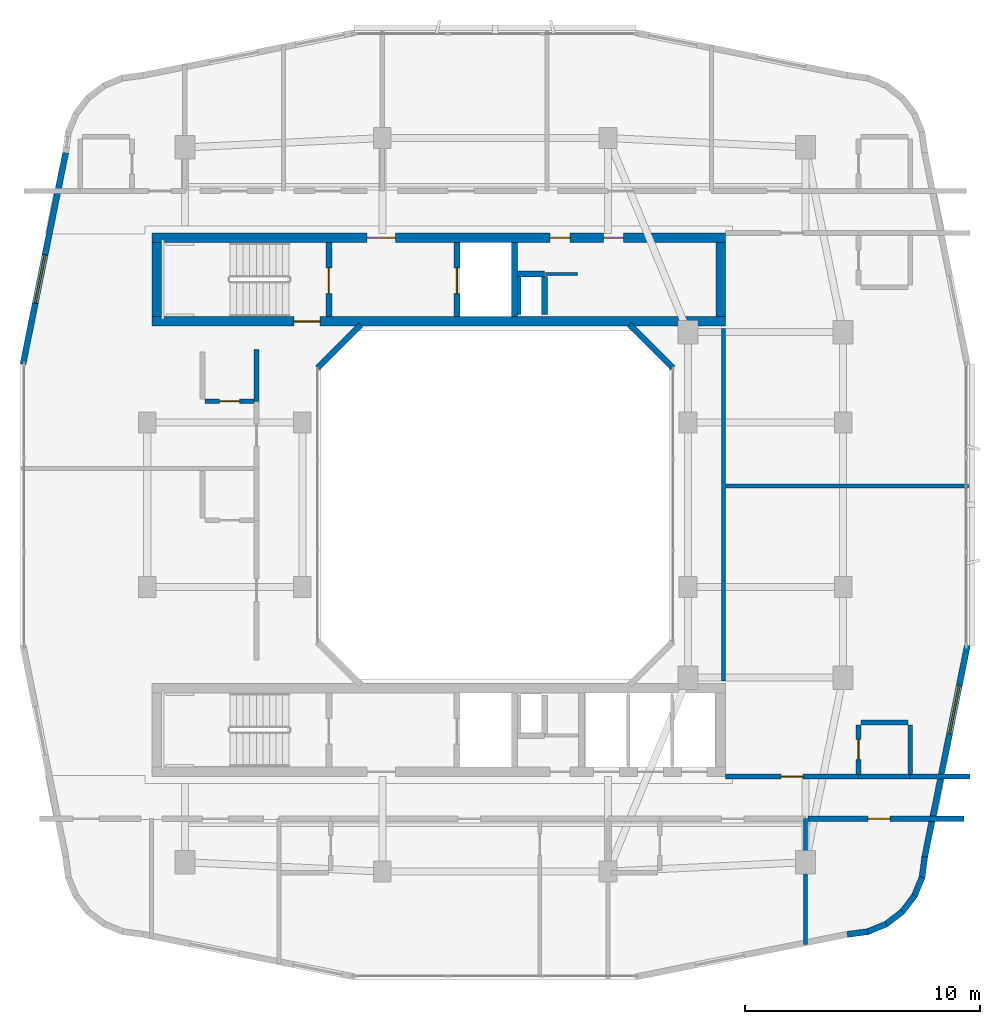
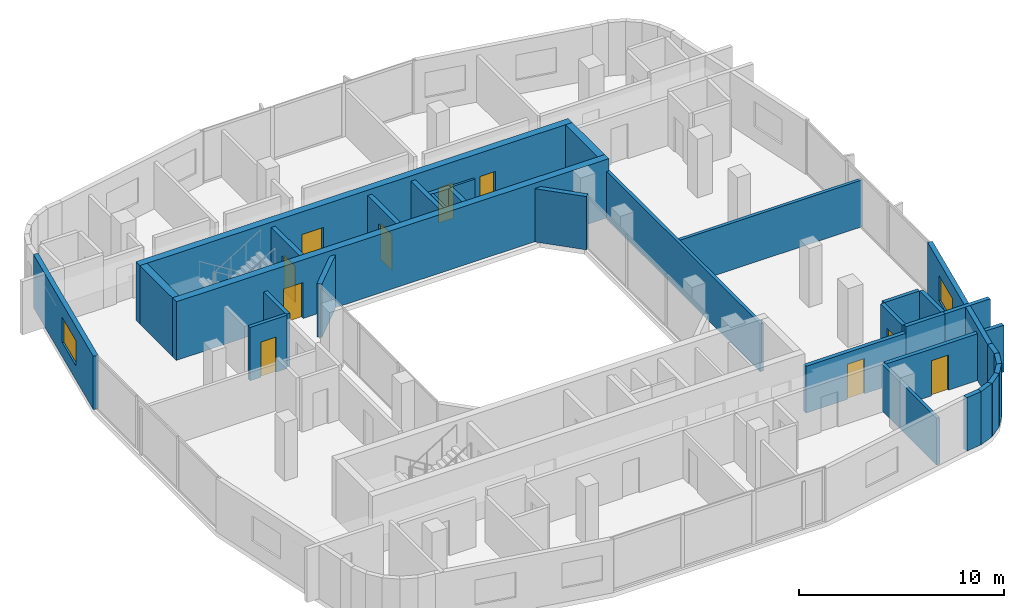
# One storey, part 8 of 14: 33 walls, 10 doors, 2 windows, 12 openings.
"""IFC4 building model written with IfcOpenShell, lengths in metres."""

import ifcopenshell
import ifcopenshell.guid

model = None  # the IFC model being written
_history = None  # IfcOwnerHistory: only IFC2X3 demands one
_inside = {}  # id of a spatial element -> (the spatial element, [elements in it])
_under = {}  # id of a project, library or spatial element -> (it, [spatial elements below it])
_declared = {}  # id of a project -> (the project, [libraries it declares])
_typed = {}  # id of a type object -> (the type object, [elements of that type])
_made_of = {}  # id of a material, layer set ... -> (it, [elements and type objects made of it])


def new_model(schema):
    """Start an empty IFC model of exactly this schema.

    Asked for "IFC4X3", IfcOpenShell would pick the latest addendum, in which some entities
    have other attributes; the version numbers below select the first issue.
    IFC2X3 requires an IfcOwnerHistory on every rooted entity: one is made here for all.
    """
    global model, _history
    if schema == "IFC4X3":
        model = ifcopenshell.file(schema_version=(4, 3, 0, 0))
    else:
        model = ifcopenshell.file(schema=schema)
    _inside.clear()
    _under.clear()
    _declared.clear()
    _typed.clear()
    _made_of.clear()
    _history = None
    if model.schema == "IFC2X3":
        org = make("IfcOrganization", Name="unknown")
        user = make(
            "IfcPersonAndOrganization",
            ThePerson=make("IfcPerson", FamilyName="unknown"),
            TheOrganization=org,
        )
        app = make(
            "IfcApplication",
            ApplicationDeveloper=org,
            Version="unknown",
            ApplicationFullName="unknown",
            ApplicationIdentifier="unknown",
        )
        _history = make(
            "IfcOwnerHistory",
            OwningUser=user,
            OwningApplication=app,
            ChangeAction="ADDED",
            CreationDate=0,
        )
    return model


def make(cls, **values):
    """One entity of the class cls with the attributes given. An attribute that is None is left unset."""
    return model.create_entity(
        cls, **{name: value for name, value in values.items() if value is not None}
    )


def rooted(cls, **values):
    """An entity with a GlobalId (a new one), such as an element, a storey or a relation."""
    return make(cls, GlobalId=ifcopenshell.guid.new(), OwnerHistory=_history, **values)


def si_unit(unit_type, name, prefix=None):
    """IfcSIUnit, for example si_unit("LENGTHUNIT", "METRE", prefix="MILLI")."""
    return make("IfcSIUnit", UnitType=unit_type, Prefix=prefix, Name=name)


def derived_unit(unit_type, elements):
    """IfcDerivedUnit: a product of units, each with its exponent."""
    return make(
        "IfcDerivedUnit",
        Elements=[
            make("IfcDerivedUnitElement", Unit=unit, Exponent=power)
            for unit, power in elements
        ],
        UnitType=unit_type,
    )


def assignment(units):
    """IfcUnitAssignment: the units of a project."""
    return None if units is None else make("IfcUnitAssignment", Units=units)


def point(xyz):
    """IfcCartesianPoint."""
    return None if xyz is None else make("IfcCartesianPoint", Coordinates=xyz)


def direction(xyz):
    """IfcDirection."""
    return None if xyz is None else make("IfcDirection", DirectionRatios=xyz)


def frame(location, z_axis=None, x_axis=None):
    """IfcAxis2Placement3D, a coordinate frame: its origin and axes. An axis left out is left unset."""
    return make(
        "IfcAxis2Placement3D",
        Location=point(location),
        Axis=direction(z_axis),
        RefDirection=direction(x_axis),
    )


def frame_2d(location, x_axis=None):
    """IfcAxis2Placement2D, a coordinate frame in the plane: its origin and x axis."""
    return make(
        "IfcAxis2Placement2D", Location=point(location), RefDirection=direction(x_axis)
    )


def origin():
    """The frame at (0, 0, 0) with its axes left unset."""
    return frame((0.0, 0.0, 0.0))


def place(relative_to, where):
    """IfcLocalPlacement: puts the frame where relative to a parent placement (None: the world)."""
    return make(
        "IfcLocalPlacement", PlacementRelTo=relative_to, RelativePlacement=where
    )


def context(
    kind, dimensions, precision=None, world=None, true_north=None, identifier=None
):
    """IfcGeometricRepresentationContext, for example the 3D "Model" context."""
    return make(
        "IfcGeometricRepresentationContext",
        ContextIdentifier=identifier,
        ContextType=kind,
        CoordinateSpaceDimension=dimensions,
        Precision=precision,
        WorldCoordinateSystem=world,
        TrueNorth=true_north,
    )


def subcontext(parent, identifier, kind, view, scale=None):
    """IfcGeometricRepresentationSubContext, for example "Body" below "Model"."""
    return make(
        "IfcGeometricRepresentationSubContext",
        ContextIdentifier=identifier,
        ContextType=kind,
        ParentContext=parent,
        TargetScale=scale,
        TargetView=view,
    )


def project(units=None, contexts=None):
    """IfcProject with its units and contexts."""
    return rooted(
        "IfcProject",
        Name="project",
        RepresentationContexts=contexts,
        UnitsInContext=assignment(units),
    )


def spatial(cls, under=None, at=None, **own):
    """A site, building, storey or space (cls), placed at a placement, below another one or the project."""
    s = rooted(cls, ObjectPlacement=at, **own)
    if under is not None:
        _under.setdefault(under.id(), (under, []))[1].append(s)
    return s


def profile(cls, at=None, kind="AREA", **sizes):
    """A parametric profile (cls). Its sizes go by their IFC names, for example OverallWidth=200.0."""
    return make(cls, ProfileType=kind, Position=at, **sizes)


def rectangle(**sizes):
    """IfcRectangleProfileDef."""
    return profile("IfcRectangleProfileDef", **sizes)


def extrude(swept, where, along, depth):
    """IfcExtrudedAreaSolid: the profile swept, set in the frame where, extruded along a direction by depth."""
    return make(
        "IfcExtrudedAreaSolid",
        SweptArea=swept,
        Position=where,
        ExtrudedDirection=direction(along),
        Depth=depth,
    )


def shape(context_of_items, identifier, shape_type, items):
    """IfcShapeRepresentation: the items that make up one representation, for example the "Body"."""
    return make(
        "IfcShapeRepresentation",
        ContextOfItems=context_of_items,
        RepresentationIdentifier=identifier,
        RepresentationType=shape_type,
        Items=items,
    )


def material(Name=None, Category=None):
    """IfcMaterial."""
    return make("IfcMaterial", Name=Name, Category=Category)


def layer(
    of_material, thickness, ventilated=None, Name=None, Category=None, Priority=None
):
    """IfcMaterialLayer: one layer of a wall or slab, of a material (None: an air gap)."""
    return make(
        "IfcMaterialLayer",
        Material=of_material,
        LayerThickness=thickness,
        IsVentilated=ventilated,
        Name=Name,
        Category=Category,
        Priority=Priority,
    )


def layer_set(layers, Name=None):
    """IfcMaterialLayerSet."""
    return make("IfcMaterialLayerSet", MaterialLayers=layers, LayerSetName=Name)


def made_of(thing, what):
    """Note that an element or type object is made of a material, layer set ...; save() writes the relation."""
    if what is not None:
        _made_of.setdefault(what.id(), (what, []))[1].append(thing)
    return thing


def type_object(cls, material=None, **own):
    """A type object (cls), such as IfcWallType, which elements share."""
    return made_of(rooted(cls, **own), material)


def element(
    cls,
    number,
    at=None,
    inside=None,
    cuts=None,
    type_object=None,
    material=None,
    context=None,
    identifier="Body",
    shape_type=None,
    held_by="IfcProductDefinitionShape",
    body=None,
    shapes=None,
    **own,
):
    """One element of the class cls, such as IfcWall. Its Tag is "e" and its number.

    at: its placement. inside: the storey or other place that contains it. cuts: it is an
    opening in that element (IfcRelVoidsElement). A single representation is given by context,
    identifier, shape_type and body (its items); several are given by shapes. held_by: the class
    of the entity that holds the representations. save() writes the other relations.
    """
    e = rooted(cls, Tag="e%d" % number, ObjectPlacement=at, **own)
    if body is not None:
        shapes = [shape(context, identifier, shape_type, body)]
    if shapes is not None:
        e.Representation = make(held_by, Representations=shapes)
    if inside is not None:
        _inside.setdefault(inside.id(), (inside, []))[1].append(e)
    if cuts is not None:
        rooted(
            "IfcRelVoidsElement", RelatingBuildingElement=cuts, RelatedOpeningElement=e
        )
    if type_object is not None:
        _typed.setdefault(type_object.id(), (type_object, []))[1].append(e)
    return made_of(e, material)


def fill(opening, filler):
    """IfcRelFillsElement: the door or window that sits in an opening."""
    return rooted(
        "IfcRelFillsElement",
        RelatingOpeningElement=opening,
        RelatedBuildingElement=filler,
    )


def aggregate(whole, parts):
    """IfcRelAggregates: a whole, such as a stair, and the parts it consists of."""
    return rooted("IfcRelAggregates", RelatingObject=whole, RelatedObjects=parts)


def save(model, path):
    """Write the relations noted so far, then the file.

    IfcRelAggregates (storeys below a building ...), IfcRelContainedInSpatialStructure (elements
    in a storey), IfcRelDefinesByType, IfcRelAssociatesMaterial and IfcRelDeclares: one each for
    every whole, place, type object, material and project.
    """
    for whole, parts in _under.values():
        aggregate(whole, parts)
    for where, things in _inside.values():
        rooted(
            "IfcRelContainedInSpatialStructure",
            RelatedElements=things,
            RelatingStructure=where,
        )
    for kind, things in _typed.values():
        rooted("IfcRelDefinesByType", RelatedObjects=things, RelatingType=kind)
    for what, things in _made_of.values():
        rooted("IfcRelAssociatesMaterial", RelatedObjects=things, RelatingMaterial=what)
    for by, libraries in _declared.values():
        rooted("IfcRelDeclares", RelatingContext=by, RelatedDefinitions=libraries)
    model.write(path)


model = new_model("IFC4")

# Units and contexts
model_context = context("Model", 3, precision=1e-05, world=origin(), true_north=direction((0.0, 1.0)))
body_context = subcontext(model_context, "Body", "Model", "MODEL_VIEW")
ifc_project = project(units=[si_unit("LENGTHUNIT", "METRE"), si_unit("AREAUNIT", "SQUARE_METRE"), si_unit("VOLUMEUNIT", "CUBIC_METRE"), si_unit("PLANEANGLEUNIT", "RADIAN"), si_unit("MASSUNIT", "GRAM", prefix="KILO"), derived_unit("THERMALTRANSMITTANCEUNIT", [(si_unit("POWERUNIT", "WATT"), 1), (si_unit("LENGTHUNIT", "METRE"), -2), (si_unit("THERMODYNAMICTEMPERATUREUNIT", "KELVIN"), -1)])], contexts=[model_context])

# Site, building, storey
site_placement = place(None, origin())
site = spatial("IfcSite", under=ifc_project, at=site_placement, CompositionType="ELEMENT")
building_placement = place(site_placement, origin())
building = spatial("IfcBuilding", under=site, at=building_placement, Name="Kivonza Crest Hotel", CompositionType="ELEMENT")
storey_placement = place(building_placement, frame((0.0, 0.0, 169.5)))
storey = spatial("IfcBuildingStorey", under=building, at=storey_placement, Name="L46", CompositionType="ELEMENT", Elevation=169.5)

# Walls
ifc_material_1 = material(Name="High-density acoustic masonry inter-tenancy wall", Category="masonry")
ifc_layer_1 = layer(ifc_material_1, 0.179931640625)
ifc_layer_set_1 = layer_set([ifc_layer_1], Name="High-density acoustic masonry inter-tenancy wall")
wall_type_1 = type_object("IfcWallType", Name="WL-ACOU-180", PredefinedType="SOLIDWALL", material=ifc_layer_set_1)
wall_1_placement = place(storey_placement, frame((34.199951171875, 6.299072265625, 0.0), z_axis=(0.0, 0.0, 1.0), x_axis=(0.0, 1.0, 0.0)))
element("IfcWall", 1, at=wall_1_placement, inside=storey, type_object=wall_type_1, Name="L46 interior partition WA-L46-T1S-DIV3", PredefinedType="SOLIDWALL", context=body_context, shape_type="SweptSolid", body=[
    extrude(rectangle(XDim=5.350830078125, YDim=0.179931640625, at=frame_2d((2.67529296875, 0.0))), origin(), (0.0, 0.0, 1.0), 2.794921875),
])
wall_2_placement = place(storey_placement, frame((30.800048828125, 25.800048828125, 0.0), z_axis=(0.0, 0.0, 1.0), x_axis=(1.0, 0.0, 0.0)))
element("IfcWall", 2, at=wall_2_placement, inside=storey, type_object=wall_type_1, Name="L46 interior partition WA-L46-T1EC-DIV", PredefinedType="SOLIDWALL", context=body_context, shape_type="SweptSolid", body=[
    extrude(rectangle(XDim=10.33984375, YDim=0.179931640625, at=frame_2d((5.169921875, 0.0))), origin(), (0.0, 0.0, 1.0), 2.794921875),
])
wall_3_placement = place(storey_placement, frame((30.7099609375, 17.5, 0.0), z_axis=(0.0, 0.0, 1.0), x_axis=(0.0, 1.0, 0.0)))
element("IfcWall", 3, at=wall_3_placement, inside=storey, type_object=wall_type_1, Name="L46 interior partition WA-L46-T1EC-W", PredefinedType="SOLIDWALL", context=body_context, shape_type="SweptSolid", body=[
    extrude(rectangle(XDim=15.0, YDim=0.179931640625, at=frame_2d((7.5, 0.0))), origin(), (0.0, 0.0, 1.0), 2.85498046875),
])

# Wall, opening, door
ifc_material_2 = material(Name="Autoclaved aerated concrete blockwork", Category="masonry")
ifc_layer_2 = layer(ifc_material_2, 0.219970703125)
ifc_layer_set_2 = layer_set([ifc_layer_2], Name="Autoclaved aerated concrete blockwork")
wall_type_2 = type_object("IfcWallType", Name="WL-ACOU-220", PredefinedType="SOLIDWALL", material=ifc_layer_set_2)
wall_4_placement = place(storey_placement, frame((34.300048828125, 11.64990234375, 0.0), z_axis=(0.0, 0.0, 1.0), x_axis=(1.0, 0.0, 0.0)))
wall_4 = element("IfcWall", 4, at=wall_4_placement, inside=storey, type_object=wall_type_2, Name="L46 interior partition WA-L46-BUS-MTG-N", PredefinedType="SOLIDWALL", context=body_context, shape_type="SweptSolid", body=[
    extrude(rectangle(XDim=6.639892578125, YDim=0.219970703125, at=frame_2d((3.31982421875, 0.0))), origin(), (0.0, 0.0, 1.0), 2.794921875),
])
opening_1_placement = place(wall_4_placement, frame((2.550048828125, 0.0, 0.0)))
opening_1 = element("IfcOpeningElement", 5, at=opening_1_placement, cuts=wall_4, Name="Opening DF-60S", PredefinedType="OPENING", context=body_context, shape_type="SweptSolid", body=[
    extrude(rectangle(XDim=0.949951171875, YDim=2.10009765625, at=frame_2d((0.47509765625, 1.050048828125))), frame((0.0, 0.1201171875, 0.0), z_axis=(0.0, -1.0, 0.0), x_axis=(1.0, 0.0, 0.0)), (0.0, 0.0, 1.0), 0.239990234375),
])
ifc_material_3 = material(Name="Hardwood timber oak", Category="wood")
door_type_1 = type_object("IfcDoorType", Name="DR-FD60-950", OperationType="NOTDEFINED", PredefinedType="DOOR", material=ifc_material_3)
door_1_placement = place(opening_1_placement, frame((0.949951171875, 0.0, 0.0), z_axis=(0.0, 0.0, 1.0), x_axis=(-1.0, 0.0, 0.0)))
door_1 = element("IfcDoor", 6, at=door_1_placement, inside=storey, type_object=door_type_1, Name="L46 Floor Conference Boardroom door", OperationType="SINGLE_SWING_RIGHT", OverallHeight=2.10009765625, OverallWidth=0.949951171875, PredefinedType="DOOR", context=body_context, shape_type="SweptSolid", body=[
    extrude(rectangle(XDim=0.949951171875, YDim=2.10009765625, at=frame_2d((0.47509765625, 1.050048828125))), frame((0.0, 0.02490234375, 0.0), z_axis=(0.0, -1.0, 0.0), x_axis=(1.0, 0.0, 0.0)), (0.0, 0.0, 1.0), 0.050048828125),
])
fill(opening_1, door_1)

# Walls
wall_5_placement = place(storey_placement, frame((10.85009765625, 29.39990234375, 0.0), z_axis=(0.0, 0.0, 1.0), x_axis=(0.0, 1.0, 0.0)))
element("IfcWall", 7, at=wall_5_placement, inside=storey, type_object=wall_type_2, Name="L46 interior partition WA-L46-W06-BCORR", PredefinedType="SOLIDWALL", context=body_context, shape_type="SweptSolid", body=[
    extrude(rectangle(XDim=2.2001953125, YDim=0.219970703125, at=frame_2d((1.10009765625, 0.0))), origin(), (0.0, 0.0, 1.0), 3.179931640625),
])
wall_6_placement = place(storey_placement, frame((38.64990234375, 13.43994140625, 0.0), z_axis=(0.0, 0.0, 1.0), x_axis=(1.0, 0.0, 0.0)))
element("IfcWall", 8, at=wall_6_placement, inside=storey, type_object=wall_type_2, Name="L46 interior partition WA-L46-ES07-XCORR", PredefinedType="SOLIDWALL", context=body_context, shape_type="SweptSolid", body=[
    extrude(rectangle(XDim=2.550048828125, YDim=0.219970703125, at=frame_2d((1.27490234375, 0.0))), origin(), (0.0, 0.0, 1.0), 3.179931640625),
])
wall_7_placement = place(storey_placement, frame((36.449951171875, 13.43994140625, 0.0), z_axis=(0.0, 0.0, 1.0), x_axis=(1.0, 0.0, 0.0)))
element("IfcWall", 9, at=wall_7_placement, inside=storey, type_object=wall_type_2, Name="L46 interior partition WA-L46-ES07-BCORR", PredefinedType="SOLIDWALL", context=body_context, shape_type="SweptSolid", body=[
    extrude(rectangle(XDim=2.199951171875, YDim=0.219970703125, at=frame_2d((1.10009765625, 0.0))), origin(), (0.0, 0.0, 1.0), 3.179931640625),
])

# Wall, opening, door
wall_8_placement = place(storey_placement, frame((30.800048828125, 13.43994140625, 0.0), z_axis=(0.0, 0.0, 1.0), x_axis=(1.0, 0.0, 0.0)))
wall_8 = element("IfcWall", 10, at=wall_8_placement, inside=storey, type_object=wall_type_2, Name="L46 interior partition WA-L46-ES07-MCORR", PredefinedType="SOLIDWALL", context=body_context, shape_type="SweptSolid", body=[
    extrude(rectangle(XDim=5.64990234375, YDim=0.219970703125, at=frame_2d((2.824951171875, 0.0))), origin(), (0.0, 0.0, 1.0), 2.794921875),
])
opening_2_placement = place(wall_8_placement, frame((2.35009765625, 0.0, 0.0)))
opening_2 = element("IfcOpeningElement", 11, at=opening_2_placement, cuts=wall_8, Name="Opening DU-60", PredefinedType="OPENING", context=body_context, shape_type="SweptSolid", body=[
    extrude(rectangle(XDim=0.949951171875, YDim=2.10009765625, at=frame_2d((0.47509765625, 1.050048828125))), frame((0.0, 0.1201171875, 0.0), z_axis=(0.0, -1.0, 0.0), x_axis=(1.0, 0.0, 0.0)), (0.0, 0.0, 1.0), 0.239990234375),
])
door_type_2 = type_object("IfcDoorType", Name="DR-UNIT-950", OperationType="NOTDEFINED", PredefinedType="DOOR", material=ifc_material_3)
door_2_placement = place(opening_2_placement, origin())
door_2 = element("IfcDoor", 12, at=door_2_placement, inside=storey, type_object=door_type_2, Name="L46 ES07 guest unit entrance fire door", OperationType="SINGLE_SWING_RIGHT", OverallHeight=2.10009765625, OverallWidth=0.949951171875, PredefinedType="DOOR", context=body_context, shape_type="SweptSolid", body=[
    extrude(rectangle(XDim=0.949951171875, YDim=2.10009765625, at=frame_2d((0.47509765625, 1.050048828125))), frame((0.0, 0.02490234375, 0.0), z_axis=(0.0, -1.0, 0.0), x_axis=(1.0, 0.0, 0.0)), (0.0, 0.0, 1.0), 0.050048828125),
])
fill(opening_2, door_2)

ifc_material_4 = material(Name="Concrete C50/60", Category="concrete")
ifc_layer_3 = layer(ifc_material_4, 0.39990234375)
ifc_layer_set_3 = layer_set([ifc_layer_3], Name="Concrete C50/60")
wall_type_3 = type_object("IfcWallType", Name="WL-CORE-400", PredefinedType="SHEAR", material=ifc_layer_set_3)
wall_9_placement = place(storey_placement, frame((6.39990234375, 32.800048828125, 0.0), z_axis=(0.0, 0.0, 1.0), x_axis=(1.0, 0.0, 0.0)))
wall_9 = element("IfcWall", 13, at=wall_9_placement, inside=storey, type_object=wall_type_3, Name="Core wall T1-N South L46", PredefinedType="SHEAR", context=body_context, shape_type="SweptSolid", body=[
    extrude(rectangle(XDim=24.400146484375, YDim=0.39990234375, at=frame_2d((12.2001953125, 0.0))), origin(), (0.0, 0.0, 1.0), 3.5),
])
opening_3_placement = place(wall_9_placement, frame((6.050048828125, 0.0, 0.0)))
opening_3 = element("IfcOpeningElement", 14, at=opening_3_placement, cuts=wall_9, Name="Opening DF-120", PredefinedType="OPENING", context=body_context, shape_type="SweptSolid", body=[
    extrude(rectangle(XDim=1.10009765625, YDim=2.14990234375, at=frame_2d((0.550048828125, 1.074951171875))), frame((0.0, 0.2099609375, 0.0), z_axis=(0.0, -1.0, 0.0), x_axis=(1.0, 0.0, 0.0)), (0.0, 0.0, 1.0), 0.419921875),
])
ifc_material_5 = material(Name="Galvanised steel", Category="steel")
door_type_3 = type_object("IfcDoorType", Name="DR-FD120-1100", OperationType="NOTDEFINED", PredefinedType="DOOR", material=ifc_material_5)
door_3_placement = place(opening_3_placement, origin())
door_3 = element("IfcDoor", 15, at=door_3_placement, inside=storey, type_object=door_type_3, Name="L46 West corridor stair access fire door", OperationType="SINGLE_SWING_LEFT", OverallHeight=2.14990234375, OverallWidth=1.10009765625, PredefinedType="DOOR", context=body_context, shape_type="SweptSolid", body=[
    extrude(rectangle(XDim=1.10009765625, YDim=2.14990234375, at=frame_2d((0.550048828125, 1.074951171875))), frame((0.0, 0.02490234375, 0.0), z_axis=(0.0, -1.0, 0.0), x_axis=(1.0, 0.0, 0.0)), (0.0, 0.0, 1.0), 0.050048828125),
])
fill(opening_3, door_3)

# Wall, openings, doors
wall_10_placement = place(storey_placement, frame((6.39990234375, 36.360107421875, 0.0), z_axis=(0.0, 0.0, 1.0), x_axis=(1.0, 0.0, 0.0)))
wall_10 = element("IfcWall", 16, at=wall_10_placement, inside=storey, type_object=wall_type_3, Name="Core wall T1-N North L46", PredefinedType="SHEAR", context=body_context, shape_type="SweptSolid", body=[
    extrude(rectangle(XDim=24.400146484375, YDim=0.39990234375, at=frame_2d((12.2001953125, 0.0))), origin(), (0.0, 0.0, 1.0), 3.5),
])
opening_4_placement = place(wall_10_placement, frame((9.14990234375, 0.0, 0.0)))
opening_4 = element("IfcOpeningElement", 17, at=opening_4_placement, cuts=wall_10, Name="Opening DF-60", PredefinedType="OPENING", context=body_context, shape_type="SweptSolid", body=[
    extrude(rectangle(XDim=1.199951171875, YDim=2.14990234375, at=frame_2d((0.60009765625, 1.074951171875))), frame((0.0, 0.2099609375, 0.0), z_axis=(0.0, -1.0, 0.0), x_axis=(1.0, 0.0, 0.0)), (0.0, 0.0, 1.0), 0.419921875),
])
opening_5_placement = place(wall_10_placement, frame((19.199951171875, 0.0, 0.0)))
opening_5 = element("IfcOpeningElement", 18, at=opening_5_placement, cuts=wall_10, Name="Opening DF-60R", PredefinedType="OPENING", context=body_context, shape_type="SweptSolid", body=[
    extrude(rectangle(XDim=0.85009765625, YDim=2.10009765625, at=frame_2d((0.425048828125, 1.050048828125))), frame((0.0, 0.2099609375, 0.0), z_axis=(0.0, -1.0, 0.0), x_axis=(1.0, 0.0, 0.0)), (0.0, 0.0, 1.0), 0.419921875),
])
opening_6_placement = place(wall_10_placement, frame((16.93994140625, 0.0, 0.0)))
opening_6 = element("IfcOpeningElement", 19, at=opening_6_placement, cuts=wall_10, Name="Opening DF-60R", PredefinedType="OPENING", context=body_context, shape_type="SweptSolid", body=[
    extrude(rectangle(XDim=0.85009765625, YDim=2.10009765625, at=frame_2d((0.425048828125, 1.050048828125))), frame((0.0, 0.2099609375, 0.0), z_axis=(0.0, -1.0, 0.0), x_axis=(1.0, 0.0, 0.0)), (0.0, 0.0, 1.0), 0.419921875),
])
door_type_4 = type_object("IfcDoorType", Name="DR-FD60-1200", OperationType="NOTDEFINED", PredefinedType="DOOR", material=ifc_material_3)
door_4_placement = place(opening_4_placement, origin())
door_4 = element("IfcDoor", 20, at=door_4_placement, inside=storey, type_object=door_type_4, Name="L46 T1-N firefighting lobby fire door", OperationType="SINGLE_SWING_RIGHT", OverallHeight=2.14990234375, OverallWidth=1.199951171875, PredefinedType="DOOR", context=body_context, shape_type="SweptSolid", body=[
    extrude(rectangle(XDim=1.199951171875, YDim=2.14990234375, at=frame_2d((0.60009765625, 1.074951171875))), frame((0.0, 0.02490234375, 0.0), z_axis=(0.0, -1.0, 0.0), x_axis=(1.0, 0.0, 0.0)), (0.0, 0.0, 1.0), 0.050048828125),
])
fill(opening_4, door_4)
door_type_5 = type_object("IfcDoorType", Name="DR-FD60-850", OperationType="NOTDEFINED", PredefinedType="DOOR", material=ifc_material_3)
door_5_placement = place(opening_5_placement, origin())
door_5 = element("IfcDoor", 21, at=door_5_placement, inside=storey, type_object=door_type_5, Name="L46 T1-N reclaimed core service door", OperationType="SINGLE_SWING_LEFT", OverallHeight=2.10009765625, OverallWidth=0.85009765625, PredefinedType="DOOR", context=body_context, shape_type="SweptSolid", body=[
    extrude(rectangle(XDim=0.85009765625, YDim=2.10009765625, at=frame_2d((0.425048828125, 1.050048828125))), frame((0.0, 0.02490234375, 0.0), z_axis=(0.0, -1.0, 0.0), x_axis=(1.0, 0.0, 0.0)), (0.0, 0.0, 1.0), 0.050048828125),
])
fill(opening_5, door_5)
door_6_placement = place(opening_6_placement, origin())
door_6 = element("IfcDoor", 22, at=door_6_placement, inside=storey, type_object=door_type_5, Name="L46 T1-N core room door", OperationType="SINGLE_SWING_RIGHT", OverallHeight=2.10009765625, OverallWidth=0.85009765625, PredefinedType="DOOR", context=body_context, shape_type="SweptSolid", body=[
    extrude(rectangle(XDim=0.85009765625, YDim=2.10009765625, at=frame_2d((0.425048828125, 1.050048828125))), frame((0.0, 0.02490234375, 0.0), z_axis=(0.0, -1.0, 0.0), x_axis=(1.0, 0.0, 0.0)), (0.0, 0.0, 1.0), 0.050048828125),
])
fill(opening_6, door_6)

# Walls
for number, where, z_axis, x_axis, name in (
    (23, (6.60009765625, 33.0, 0.0), (0.0, 0.0, 1.0), (0.0, 1.0, 0.0), "Core wall T1-N West L46"),
    (24, (30.60009765625, 33.0, 0.0), (0.0, 0.0, 1.0), (0.0, 1.0, 0.0), "Core wall T1-N East L46"),
):
    element("IfcWall", number, at=place(storey_placement, frame(where, z_axis=z_axis, x_axis=x_axis)), inside=storey, type_object=wall_type_3, Name=name, PredefinedType="SHEAR", context=body_context, shape_type="SweptSolid", body=[
        extrude(rectangle(XDim=3.159912109375, YDim=0.39990234375, at=frame_2d((1.580078125, 0.0))), origin(), (0.0, 0.0, 1.0), 3.5),
    ])
ifc_material_6 = material(Name="Precast concrete C40/50", Category="concrete")
ifc_layer_4 = layer(ifc_material_6, 0.260009765625)
ifc_layer_set_4 = layer_set([ifc_layer_4], Name="Precast concrete C40/50")
wall_type_4 = type_object("IfcWallType", Name="WL-EXT-260", PredefinedType="STANDARD", material=ifc_layer_set_4)
wall_11_placement = place(storey_placement, frame((35.97509765625, 6.72802734375, 0.0), z_axis=(0.0, 0.0, 1.0), x_axis=(0.991388484223, 0.130953706898, 0.0)))
element("IfcWall", 25, at=wall_11_placement, inside=storey, type_object=wall_type_4, Name="L46 T1 exterior insulated wall 10", PredefinedType="STANDARD", context=body_context, shape_type="SweptSolid", body=[
    extrude(rectangle(XDim=0.885498046875, YDim=0.260009765625, at=frame_2d((0.44287109375, 0.0))), origin(), (0.0, 0.0, 1.0), 3.179931640625),
])
wall_12_placement = place(storey_placement, frame((36.806884765625, 6.825927734375, 0.0), z_axis=(0.0, 0.0, 1.0), x_axis=(0.923627776508, 0.383290660547, 0.0)))
element("IfcWall", 26, at=wall_12_placement, inside=storey, type_object=wall_type_4, Name="L46 T1 exterior insulated wall 11", PredefinedType="STANDARD", context=body_context, shape_type="SweptSolid", body=[
    extrude(rectangle(XDim=0.9033203125, YDim=0.260009765625, at=frame_2d((0.45166015625, 0.0))), origin(), (0.0, 0.0, 1.0), 3.179931640625),
])
wall_13_placement = place(storey_placement, frame((37.60107421875, 7.14404296875, 0.0), z_axis=(0.0, 0.0, 1.0), x_axis=(0.793458244748, 0.608624690463, 0.0)))
element("IfcWall", 27, at=wall_13_placement, inside=storey, type_object=wall_type_4, Name="L46 T1 exterior insulated wall 12", PredefinedType="STANDARD", context=body_context, shape_type="SweptSolid", body=[
    extrude(rectangle(XDim=0.902099609375, YDim=0.260009765625, at=frame_2d((0.451171875, 0.0))), origin(), (0.0, 0.0, 1.0), 3.179931640625),
])
wall_14_placement = place(storey_placement, frame((38.285888671875, 7.655029296875, 0.0), z_axis=(0.0, 0.0, 1.0), x_axis=(0.608494022858, 0.793558456666, 0.0)))
element("IfcWall", 28, at=wall_14_placement, inside=storey, type_object=wall_type_4, Name="L46 T1 exterior insulated wall 13", PredefinedType="STANDARD", context=body_context, shape_type="SweptSolid", body=[
    extrude(rectangle(XDim=0.90234375, YDim=0.260009765625, at=frame_2d((0.451171875, 0.0))), origin(), (0.0, 0.0, 1.0), 3.179931640625),
])
wall_15_placement = place(storey_placement, frame((38.81396484375, 8.326904296875, 0.0), z_axis=(0.0, 0.0, 1.0), x_axis=(0.383155708213, 0.923683767999, 0.0)))
element("IfcWall", 29, at=wall_15_placement, inside=storey, type_object=wall_type_4, Name="L46 T1 exterior insulated wall 14", PredefinedType="STANDARD", context=body_context, shape_type="SweptSolid", body=[
    extrude(rectangle(XDim=0.90283203125, YDim=0.260009765625, at=frame_2d((0.451416015625, 0.0))), origin(), (0.0, 0.0, 1.0), 3.179931640625),
])
wall_16_placement = place(storey_placement, frame((39.152099609375, 9.112060546875, 0.0), z_axis=(0.0, 0.0, 1.0), x_axis=(0.130200706103, 0.991487658083, 0.0)))
element("IfcWall", 30, at=wall_16_placement, inside=storey, type_object=wall_type_4, Name="L46 T1 exterior insulated wall 15", PredefinedType="STANDARD", context=body_context, shape_type="SweptSolid", body=[
    extrude(rectangle(XDim=0.920654296875, YDim=0.260009765625, at=frame_2d((0.46044921875, 0.0))), origin(), (0.0, 0.0, 1.0), 3.179931640625),
])

# Wall, opening, window
wall_17_placement = place(storey_placement, frame((39.27099609375, 10.01806640625, 0.0), z_axis=(0.0, 0.0, 1.0), x_axis=(0.197435082048, 0.980315963543, 0.0)))
wall_17 = element("IfcWall", 31, at=wall_17_placement, inside=storey, type_object=wall_type_4, Name="L46 T1 exterior insulated wall 16", PredefinedType="STANDARD", context=body_context, shape_type="SweptSolid", body=[
    extrude(rectangle(XDim=9.1826171875, YDim=0.260009765625, at=frame_2d((4.59130859375, 0.0))), origin(), (0.0, 0.0, 1.0), 3.179931640625),
])
opening_7_placement = place(wall_17_placement, frame((5.34912109375, 0.0, 0.85009765625)))
opening_7 = element("IfcOpeningElement", 32, at=opening_7_placement, cuts=wall_17, Name="Opening WN-04", PredefinedType="OPENING", context=body_context, shape_type="SweptSolid", body=[
    extrude(rectangle(XDim=2.10009765625, YDim=1.5, at=frame_2d((1.050048828125, 0.75))), frame((0.0, 0.14013671875, 0.0), z_axis=(0.0, -1.0, 0.0), x_axis=(1.0, 0.0, 0.0)), (0.0, 0.0, 1.0), 0.280029296875),
])
ifc_material_7 = material(Name="Thermally broken bronze aluminium and low-E double glazing", Category="aluminium")
window_type = type_object("IfcWindowType", Name="WN-210x150", PartitioningType="DOUBLE_PANEL_VERTICAL", PredefinedType="WINDOW", material=ifc_material_7)
window_1_placement = place(opening_7_placement, origin())
window_1 = element("IfcWindow", 33, at=window_1_placement, inside=storey, type_object=window_type, Name="L46 T1 facade window 16", OverallHeight=1.5, OverallWidth=2.10009765625, PartitioningType="SINGLE_PANEL", PredefinedType="WINDOW", context=body_context, shape_type="SweptSolid", body=[
    extrude(rectangle(XDim=2.10009765625, YDim=1.5, at=frame_2d((1.050048828125, 0.75))), frame((0.0, 0.030029296875, 0.0), z_axis=(0.0, -1.0, 0.0), x_axis=(1.0, 0.0, 0.0)), (0.0, 0.0, 1.0), 0.06005859375),
])
fill(opening_7, window_1)

wall_18_placement = place(storey_placement, frame((2.72900390625, 39.98193359375, 0.0), z_axis=(0.0, 0.0, 1.0), x_axis=(-0.197435082048, -0.980315963543, 0.0)))
wall_18 = element("IfcWall", 34, at=wall_18_placement, inside=storey, type_object=wall_type_4, Name="L46 T1 exterior insulated wall 34", PredefinedType="STANDARD", context=body_context, shape_type="SweptSolid", body=[
    extrude(rectangle(XDim=9.1826171875, YDim=0.260009765625, at=frame_2d((4.59130859375, 0.0))), origin(), (0.0, 0.0, 1.0), 3.179931640625),
])
opening_8_placement = place(wall_18_placement, frame((4.43603515625, 0.0, 0.85009765625)))
opening_8 = element("IfcOpeningElement", 35, at=opening_8_placement, cuts=wall_18, Name="Opening WN-04", PredefinedType="OPENING", context=body_context, shape_type="SweptSolid", body=[
    extrude(rectangle(XDim=2.10009765625, YDim=1.5, at=frame_2d((1.050048828125, 0.75))), frame((0.0, 0.14013671875, 0.0), z_axis=(0.0, -1.0, 0.0), x_axis=(1.0, 0.0, 0.0)), (0.0, 0.0, 1.0), 0.280029296875),
])
window_2_placement = place(opening_8_placement, origin())
window_2 = element("IfcWindow", 36, at=window_2_placement, inside=storey, type_object=window_type, Name="L46 T1 facade window 34", OverallHeight=1.5, OverallWidth=2.10009765625, PartitioningType="SINGLE_PANEL", PredefinedType="WINDOW", context=body_context, shape_type="SweptSolid", body=[
    extrude(rectangle(XDim=2.10009765625, YDim=1.5, at=frame_2d((1.050048828125, 0.75))), frame((0.0, 0.030029296875, 0.0), z_axis=(0.0, -1.0, 0.0), x_axis=(1.0, 0.0, 0.0)), (0.0, 0.0, 1.0), 0.06005859375),
])
fill(opening_8, window_2)

# Walls
for number, where, z_axis, x_axis, name in (
    (37, (28.555908203125, 30.827880859375, 0.0), (0.0, 0.0, 1.0), (-0.707059717605, 0.707153841636, 0.0), "L46 T1 light-well exterior wall 4"),
    (38, (15.278076171875, 32.662109375, 0.0), (0.0, 0.0, 1.0), (-0.707059717605, -0.707153841636, 0.0), "L46 T1 light-well exterior wall 6"),
):
    element("IfcWall", number, at=place(storey_placement, frame(where, z_axis=z_axis, x_axis=x_axis)), inside=storey, type_object=wall_type_4, Name=name, PredefinedType="STANDARD", context=body_context, shape_type="SweptSolid", body=[
        extrude(rectangle(XDim=2.59375, YDim=0.260009765625, at=frame_2d((1.296875, 0.0))), origin(), (0.0, 0.0, 1.0), 3.179931640625),
    ])
ifc_material_8 = material(Name="Concrete blockwork fire-compartment wall", Category="masonry")
ifc_layer_5 = layer(ifc_material_8, 0.25)
ifc_layer_set_5 = layer_set([ifc_layer_5], Name="Concrete blockwork fire-compartment wall")
wall_type_5 = type_object("IfcWallType", Name="WL-FIRE-250", PredefinedType="SOLIDWALL", material=ifc_layer_set_5)
wall_19_placement = place(storey_placement, frame((23.10009765625, 33.10009765625, 0.0), z_axis=(0.0, 0.0, 1.0), x_axis=(0.0, 1.0, 0.0)))
element("IfcWall", 39, at=wall_19_placement, inside=storey, type_object=wall_type_5, Name="L46 interior partition WA-L46-T1-N-MEPR-E", PredefinedType="SOLIDWALL", context=body_context, shape_type="SweptSolid", body=[
    extrude(rectangle(XDim=1.619873046875, YDim=0.25, at=frame_2d((0.81005859375, 0.0))), origin(), (0.0, 0.0, 1.0), 3.179931640625),
])
wall_20_placement = place(storey_placement, frame((21.949951171875, 34.820068359375, 0.0), z_axis=(0.0, 0.0, 1.0), x_axis=(1.0, 0.0, 0.0)))
element("IfcWall", 40, at=wall_20_placement, inside=storey, type_object=wall_type_5, Name="L46 interior partition WA-L46-T1-N-MEPR-H", PredefinedType="SOLIDWALL", context=body_context, shape_type="SweptSolid", body=[
    extrude(rectangle(XDim=1.150146484375, YDim=0.25, at=frame_2d((0.5751953125, 0.0))), origin(), (0.0, 0.0, 1.0), 3.179931640625),
])
ifc_material_9 = material(Name="Metal-stud gypsum board partition", Category="gypsum")
ifc_layer_6 = layer(ifc_material_9, 0.125)
ifc_layer_set_6 = layer_set([ifc_layer_6], Name="Metal-stud gypsum board partition")
wall_type_6 = type_object("IfcWallType", Name="WL-PART-125", PredefinedType="PARTITIONING", material=ifc_layer_set_6)
wall_21_placement = place(storey_placement, frame((23.14990234375, 34.820068359375, 0.0), z_axis=(0.0, 0.0, 1.0), x_axis=(1.0, 0.0, 0.0)))
element("IfcWall", 41, at=wall_21_placement, inside=storey, type_object=wall_type_6, Name="L46 interior partition WP-L46-T1-N-SV2H", PredefinedType="PARTITIONING", context=body_context, shape_type="SweptSolid", body=[
    extrude(rectangle(XDim=1.35009765625, YDim=0.125, at=frame_2d((0.675048828125, 0.0))), origin(), (0.0, 0.0, 1.0), 3.179931640625),
])
ifc_material_10 = material(Name="Twin-stud acoustic gypsum board partition", Category="gypsum")
ifc_layer_7 = layer(ifc_material_10, 0.14990234375)
ifc_layer_set_7 = layer_set([ifc_layer_7], Name="Twin-stud acoustic gypsum board partition")
wall_type_7 = type_object("IfcWallType", Name="WL-PART-150", PredefinedType="PARTITIONING", material=ifc_layer_set_7)
wall_22_placement = place(storey_placement, frame((22.030029296875, 33.10009765625, 0.0), z_axis=(0.0, 0.0, 1.0), x_axis=(0.0, 1.0, 0.0)))
element("IfcWall", 42, at=wall_22_placement, inside=storey, type_object=wall_type_7, Name="L46 interior partition WA-L46-T1-N-MEPR-W", PredefinedType="PARTITIONING", context=body_context, shape_type="SweptSolid", body=[
    extrude(rectangle(XDim=1.619873046875, YDim=0.14990234375, at=frame_2d((0.81005859375, 0.0))), origin(), (0.0, 0.0, 1.0), 3.179931640625),
])

# Wall, opening, door
ifc_material_11 = material(Name="Moisture-resistant plumbing chase partition wall", Category="gypsum")
ifc_layer_8 = layer(ifc_material_11, 0.199951171875)
ifc_layer_set_8 = layer_set([ifc_layer_8], Name="Moisture-resistant plumbing chase partition wall")
wall_type_8 = type_object("IfcWallType", Name="WL-PLUMB-200", PredefinedType="PLUMBINGWALL", material=ifc_layer_set_8)
wall_23_placement = place(storey_placement, frame((8.64990234375, 29.39990234375, 0.0), z_axis=(0.0, 0.0, 1.0), x_axis=(1.0, 0.0, 0.0)))
wall_23 = element("IfcWall", 43, at=wall_23_placement, inside=storey, type_object=wall_type_8, Name="L46 interior partition WW-L46-W06-BH", PredefinedType="PLUMBINGWALL", context=body_context, shape_type="SweptSolid", body=[
    extrude(rectangle(XDim=2.10009765625, YDim=0.199951171875, at=frame_2d((1.050048828125, 0.0))), origin(), (0.0, 0.0, 1.0), 3.179931640625),
])
opening_9_placement = place(wall_23_placement, frame((0.625, 0.0, 0.0)))
opening_9 = element("IfcOpeningElement", 44, at=opening_9_placement, cuts=wall_23, Name="Opening DI-85", PredefinedType="OPENING", context=body_context, shape_type="SweptSolid", body=[
    extrude(rectangle(XDim=0.85009765625, YDim=2.10009765625, at=frame_2d((0.425048828125, 1.050048828125))), frame((0.0, 0.10986328125, 0.0), z_axis=(0.0, -1.0, 0.0), x_axis=(1.0, 0.0, 0.0)), (0.0, 0.0, 1.0), 0.219970703125),
])
door_type_6 = type_object("IfcDoorType", Name="DR-INT-850", OperationType="NOTDEFINED", PredefinedType="DOOR", material=ifc_material_3)
door_7_placement = place(opening_9_placement, frame((0.85009765625, 0.0, 0.0), z_axis=(0.0, 0.0, 1.0), x_axis=(-1.0, 0.0, 0.0)))
door_7 = element("IfcDoor", 45, at=door_7_placement, inside=storey, type_object=door_type_6, Name="L46 W06 en-suite bathroom door", OperationType="SINGLE_SWING_LEFT", OverallHeight=2.10009765625, OverallWidth=0.85009765625, PredefinedType="DOOR", context=body_context, shape_type="SweptSolid", body=[
    extrude(rectangle(XDim=0.85009765625, YDim=2.10009765625, at=frame_2d((0.425048828125, 1.050048828125))), frame((0.0, 0.02490234375, 0.0), z_axis=(0.0, -1.0, 0.0), x_axis=(1.0, 0.0, 0.0)), (0.0, 0.0, 1.0), 0.050048828125),
])
fill(opening_9, door_7)

wall_24_placement = place(storey_placement, frame((36.449951171875, 13.5400390625, 0.0), z_axis=(0.0, 0.0, 1.0), x_axis=(0.0, 1.0, 0.0)))
wall_24 = element("IfcWall", 46, at=wall_24_placement, inside=storey, type_object=wall_type_8, Name="L46 interior partition WW-L46-ES07-BV", PredefinedType="PLUMBINGWALL", context=body_context, shape_type="SweptSolid", body=[
    extrude(rectangle(XDim=2.099853515625, YDim=0.199951171875, at=frame_2d((1.0498046875, 0.0))), origin(), (0.0, 0.0, 1.0), 3.179931640625),
])
opening_10_placement = place(wall_24_placement, frame((0.625, 0.0, 0.0)))
opening_10 = element("IfcOpeningElement", 47, at=opening_10_placement, cuts=wall_24, Name="Opening DI-85", PredefinedType="OPENING", context=body_context, shape_type="SweptSolid", body=[
    extrude(rectangle(XDim=0.85009765625, YDim=2.10009765625, at=frame_2d((0.425048828125, 1.050048828125))), frame((0.0, 0.10986328125, 0.0), z_axis=(0.0, -1.0, 0.0), x_axis=(1.0, 0.0, 0.0)), (0.0, 0.0, 1.0), 0.219970703125),
])
door_8_placement = place(opening_10_placement, origin())
door_8 = element("IfcDoor", 48, at=door_8_placement, inside=storey, type_object=door_type_6, Name="L46 ES07 en-suite bathroom door", OperationType="SINGLE_SWING_LEFT", OverallHeight=2.10009765625, OverallWidth=0.85009765625, PredefinedType="DOOR", context=body_context, shape_type="SweptSolid", body=[
    extrude(rectangle(XDim=0.85009765625, YDim=2.10009765625, at=frame_2d((0.425048828125, 1.050048828125))), frame((0.0, 0.02490234375, 0.0), z_axis=(0.0, -1.0, 0.0), x_axis=(1.0, 0.0, 0.0)), (0.0, 0.0, 1.0), 0.050048828125),
])
fill(opening_10, door_8)

# Walls
wall_25_placement = place(storey_placement, frame((36.550048828125, 15.739990234375, 0.0), z_axis=(0.0, 0.0, 1.0), x_axis=(1.0, 0.0, 0.0)))
element("IfcWall", 49, at=wall_25_placement, inside=storey, type_object=wall_type_8, Name="L46 interior partition WW-L46-ES07-BH", PredefinedType="PLUMBINGWALL", context=body_context, shape_type="SweptSolid", body=[
    extrude(rectangle(XDim=2.0, YDim=0.199951171875, at=frame_2d((1.0, 0.0))), origin(), (0.0, 0.0, 1.0), 3.179931640625),
])
wall_26_placement = place(storey_placement, frame((38.64990234375, 13.5400390625, 0.0), z_axis=(0.0, 0.0, 1.0), x_axis=(0.0, 1.0, 0.0)))
element("IfcWall", 50, at=wall_26_placement, inside=storey, type_object=wall_type_8, Name="L46 interior partition WW-L46-ES07-BVE", PredefinedType="PLUMBINGWALL", context=body_context, shape_type="SweptSolid", body=[
    extrude(rectangle(XDim=2.099853515625, YDim=0.199951171875, at=frame_2d((1.0498046875, 0.0))), origin(), (0.0, 0.0, 1.0), 3.179931640625),
])

# Wall, opening, door
ifc_layer_9 = layer(ifc_material_4, 0.25)
ifc_layer_set_9 = layer_set([ifc_layer_9], Name="Concrete C50/60")
wall_type_9 = type_object("IfcWallType", Name="WL-SHAFT-250", PredefinedType="STANDARD", material=ifc_layer_set_9)
wall_27_placement = place(storey_placement, frame((13.925048828125, 33.0, 0.0), z_axis=(0.0, 0.0, 1.0), x_axis=(0.0, 1.0, 0.0)))
wall_27 = element("IfcWall", 51, at=wall_27_placement, inside=storey, type_object=wall_type_9, Name="Core shaft wall T1-N STAIR L46", PredefinedType="STANDARD", context=body_context, shape_type="SweptSolid", body=[
    extrude(rectangle(XDim=3.159912109375, YDim=0.25, at=frame_2d((1.580078125, 0.0))), origin(), (0.0, 0.0, 1.0), 3.179931640625),
])
opening_11_placement = place(wall_27_placement, frame((0.97998046875, 0.0, 0.0)))
opening_11 = element("IfcOpeningElement", 52, at=opening_11_placement, cuts=wall_27, Name="Opening DF-120", PredefinedType="OPENING", context=body_context, shape_type="SweptSolid", body=[
    extrude(rectangle(XDim=1.10009765625, YDim=2.14990234375, at=frame_2d((0.550048828125, 1.074951171875))), frame((0.0, 0.135009765625, 0.0), z_axis=(0.0, -1.0, 0.0), x_axis=(1.0, 0.0, 0.0)), (0.0, 0.0, 1.0), 0.27001953125),
])
door_9_placement = place(opening_11_placement, frame((1.10009765625, 0.0, 0.0), z_axis=(0.0, 0.0, 1.0), x_axis=(-1.0, 0.0, 0.0)))
door_9 = element("IfcDoor", 53, at=door_9_placement, inside=storey, type_object=door_type_3, Name="L46 T1-N stair fire door", OperationType="SINGLE_SWING_LEFT", OverallHeight=2.14990234375, OverallWidth=1.10009765625, PredefinedType="DOOR", context=body_context, shape_type="SweptSolid", body=[
    extrude(rectangle(XDim=1.10009765625, YDim=2.14990234375, at=frame_2d((0.550048828125, 1.074951171875))), frame((0.0, 0.02490234375, 0.0), z_axis=(0.0, -1.0, 0.0), x_axis=(1.0, 0.0, 0.0)), (0.0, 0.0, 1.0), 0.050048828125),
])
fill(opening_11, door_9)

wall_28_placement = place(storey_placement, frame((19.375, 33.0, 0.0), z_axis=(0.0, 0.0, 1.0), x_axis=(0.0, 1.0, 0.0)))
wall_28 = element("IfcWall", 54, at=wall_28_placement, inside=storey, type_object=wall_type_9, Name="Core shaft wall T1-N FFL-W L46", PredefinedType="STANDARD", context=body_context, shape_type="SweptSolid", body=[
    extrude(rectangle(XDim=3.159912109375, YDim=0.25, at=frame_2d((1.580078125, 0.0))), origin(), (0.0, 0.0, 1.0), 3.179931640625),
])
opening_12_placement = place(wall_28_placement, frame((0.97998046875, 0.0, 0.0)))
opening_12 = element("IfcOpeningElement", 55, at=opening_12_placement, cuts=wall_28, Name="Opening LD-120", PredefinedType="OPENING", context=body_context, shape_type="SweptSolid", body=[
    extrude(rectangle(XDim=1.10009765625, YDim=2.14990234375, at=frame_2d((0.550048828125, 1.074951171875))), frame((0.0, 0.135009765625, 0.0), z_axis=(0.0, -1.0, 0.0), x_axis=(1.0, 0.0, 0.0)), (0.0, 0.0, 1.0), 0.27001953125),
])
ifc_material_12 = material(Name="Stainless steel", Category="steel")
door_type_7 = type_object("IfcDoorType", Name="DR-LD120-1100", OperationType="NOTDEFINED", PredefinedType="DOOR", material=ifc_material_12)
door_10_placement = place(opening_12_placement, origin())
door_10 = element("IfcDoor", 56, at=door_10_placement, inside=storey, type_object=door_type_7, Name="L46 FFL-T1-N firefighting lift sliding landing door", OperationType="DOUBLE_DOOR_SLIDING", OverallHeight=2.14990234375, OverallWidth=1.10009765625, PredefinedType="DOOR", context=body_context, shape_type="SweptSolid", body=[
    extrude(rectangle(XDim=1.10009765625, YDim=2.14990234375, at=frame_2d((0.550048828125, 1.074951171875))), frame((0.0, 0.02490234375, 0.0), z_axis=(0.0, -1.0, 0.0), x_axis=(1.0, 0.0, 0.0)), (0.0, 0.0, 1.0), 0.050048828125),
])
fill(opening_12, door_10)

# Wall
wall_29_placement = place(storey_placement, frame((21.824951171875, 33.0, 0.0), z_axis=(0.0, 0.0, 1.0), x_axis=(0.0, 1.0, 0.0)))
element("IfcWall", 57, at=wall_29_placement, inside=storey, type_object=wall_type_9, Name="Core shaft wall T1-N FFL-E L46", PredefinedType="STANDARD", context=body_context, shape_type="SweptSolid", body=[
    extrude(rectangle(XDim=3.159912109375, YDim=0.25, at=frame_2d((1.580078125, 0.0))), origin(), (0.0, 0.0, 1.0), 3.179931640625),
])

save(model, "model.ifc")
